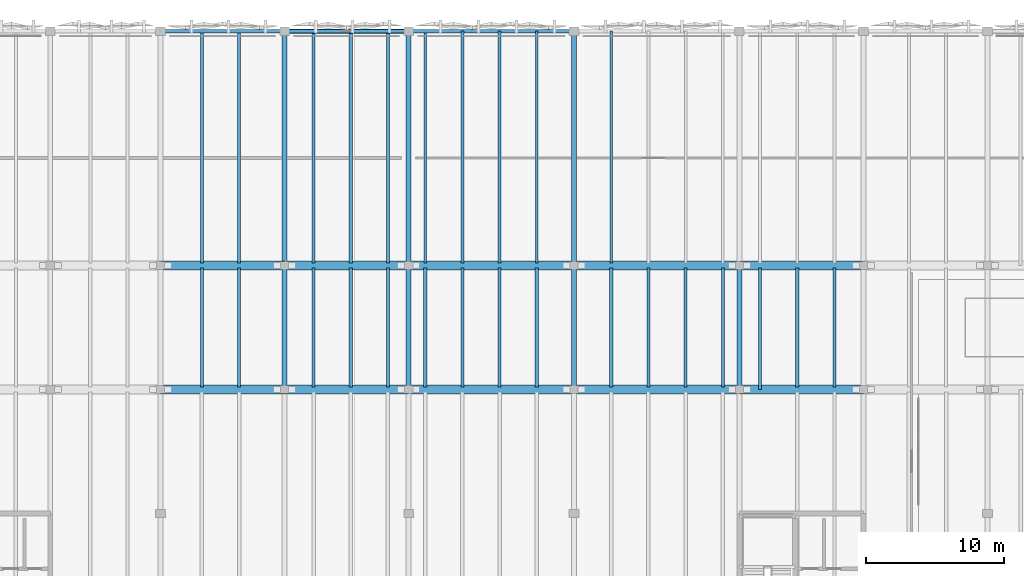
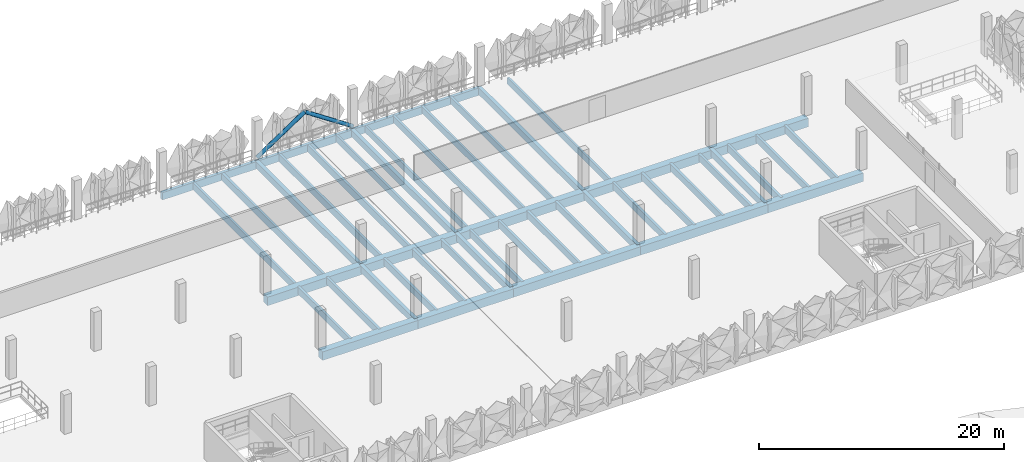
# One storey, part 12 of 52: 46 beams, 2 members.
"""IFC4 building model written with IfcOpenShell, lengths in metres."""

from ifc_helpers import new_model, si_unit, derived_unit, direction, frame, origin, origin_2d, place, context, subcontext, project, spatial, rectangle, hollow_circle, extrude, material, material_profile, profile_set, type_object, element, save


model = new_model("IFC4")

# Units and contexts
model_context = context("Model", 3, precision=1e-05, world=origin(), true_north=direction((0.0, 1.0)))
body_context = subcontext(model_context, "Body", "Model", "MODEL_VIEW")
ifc_project = project(units=[si_unit("LENGTHUNIT", "METRE"), si_unit("AREAUNIT", "SQUARE_METRE"), si_unit("VOLUMEUNIT", "CUBIC_METRE"), si_unit("PLANEANGLEUNIT", "RADIAN"), si_unit("MASSUNIT", "GRAM", prefix="KILO"), si_unit("THERMODYNAMICTEMPERATUREUNIT", "KELVIN"), derived_unit("THERMALTRANSMITTANCEUNIT", [(si_unit("POWERUNIT", "WATT"), 1), (si_unit("AREAUNIT", "SQUARE_METRE"), -1), (si_unit("THERMODYNAMICTEMPERATUREUNIT", "KELVIN"), -1)])], contexts=[model_context])

# Site, building, storey
site_placement = place(None, origin())
site = spatial("IfcSite", under=ifc_project, at=site_placement, CompositionType="ELEMENT")
building_placement = place(site_placement, origin())
building = spatial("IfcBuilding", under=site, at=building_placement, Name="Haiyu Intermodal Mobility Hub", CompositionType="ELEMENT")
storey_placement = place(building_placement, frame((0.0, 0.0, 21.199951171875)))
storey = spatial("IfcBuildingStorey", under=building, at=storey_placement, Name="L05", CompositionType="ELEMENT", Elevation=21.199951171875)

# Beams
ifc_material_1 = material(Name="Concrete C40", Category="concrete")
ifc_material_profile_1 = material_profile(ifc_material_1, rectangle(XDim=0.35009765625, YDim=0.64990234375, at=origin_2d()), Name="RCB350x650")
ifc_profile_set_1 = profile_set([ifc_material_profile_1], Name="Concrete C40")
beam_type_1 = type_object("IfcBeamType", Name="BM-CB04", PredefinedType="BEAM", material=ifc_profile_set_1)
beam_1_placement = place(storey_placement, frame((87.0, 122.0, -0.599853515625), z_axis=(0.0, 1.0, 0.0), x_axis=(-1.0, 0.0, 0.0)))
element("IfcBeam", 1, at=beam_1_placement, inside=storey, type_object=beam_type_1, Name="BM-V4E-L05-022", PredefinedType="BEAM", context=body_context, shape_type="SweptSolid", body=[
    extrude(rectangle(XDim=0.35009765625, YDim=0.64990234375, at=origin_2d()), origin(), (0.0, 0.0, 1.0), 9.0),
])
beam_2_placement = place(storey_placement, frame((87.0, 131.0, -0.599853515625), z_axis=(0.0, 1.0, 0.0), x_axis=(-1.0, 0.0, 0.0)))
element("IfcBeam", 2, at=beam_2_placement, inside=storey, type_object=beam_type_1, Name="BM-V4E-L05-023", PredefinedType="BEAM", context=body_context, shape_type="SweptSolid", body=[
    extrude(rectangle(XDim=0.35009765625, YDim=0.64990234375, at=origin_2d()), origin(), (0.0, 0.0, 1.0), 17.0),
])
beam_3_placement = place(storey_placement, frame((96.0, 122.0, -0.599853515625), z_axis=(0.0, 1.0, 0.0), x_axis=(-1.0, 0.0, 0.0)))
element("IfcBeam", 3, at=beam_3_placement, inside=storey, type_object=beam_type_1, Name="BM-V4E-L05-025", PredefinedType="BEAM", context=body_context, shape_type="SweptSolid", body=[
    extrude(rectangle(XDim=0.35009765625, YDim=0.64990234375, at=origin_2d()), origin(), (0.0, 0.0, 1.0), 9.0),
])
beam_4_placement = place(storey_placement, frame((96.0, 131.0, -0.599853515625), z_axis=(0.0, 1.0, 0.0), x_axis=(-1.0, 0.0, 0.0)))
element("IfcBeam", 4, at=beam_4_placement, inside=storey, type_object=beam_type_1, Name="BM-V4E-L05-026", PredefinedType="BEAM", context=body_context, shape_type="SweptSolid", body=[
    extrude(rectangle(XDim=0.35009765625, YDim=0.64990234375, at=origin_2d()), origin(), (0.0, 0.0, 1.0), 17.0),
])
beam_5_placement = place(storey_placement, frame((108.0, 122.0, -0.599853515625), z_axis=(0.0, 1.0, 0.0), x_axis=(-1.0, 0.0, 0.0)))
element("IfcBeam", 5, at=beam_5_placement, inside=storey, type_object=beam_type_1, Name="BM-V4E-L05-028", PredefinedType="BEAM", context=body_context, shape_type="SweptSolid", body=[
    extrude(rectangle(XDim=0.35009765625, YDim=0.64990234375, at=origin_2d()), origin(), (0.0, 0.0, 1.0), 9.0),
])
beam_6_placement = place(storey_placement, frame((108.0, 131.0, -0.599853515625), z_axis=(0.0, 1.0, 0.0), x_axis=(-1.0, 0.0, 0.0)))
element("IfcBeam", 6, at=beam_6_placement, inside=storey, type_object=beam_type_1, Name="BM-V4E-L05-029", PredefinedType="BEAM", context=body_context, shape_type="SweptSolid", body=[
    extrude(rectangle(XDim=0.35009765625, YDim=0.64990234375, at=origin_2d()), origin(), (0.0, 0.0, 1.0), 17.0),
])
beam_7_placement = place(storey_placement, frame((120.0, 122.0, -0.599853515625), z_axis=(0.0, 1.0, 0.0), x_axis=(-1.0, 0.0, 0.0)))
element("IfcBeam", 7, at=beam_7_placement, inside=storey, type_object=beam_type_1, Name="BM-V4E-L05-031", PredefinedType="BEAM", context=body_context, shape_type="SweptSolid", body=[
    extrude(rectangle(XDim=0.35009765625, YDim=0.64990234375, at=origin_2d()), origin(), (0.0, 0.0, 1.0), 9.0),
])
ifc_material_2 = material(Name="Precast concrete C50", Category="concrete")
ifc_material_profile_2 = material_profile(ifc_material_2, rectangle(XDim=0.219970703125, YDim=0.719970703125, at=origin_2d()), Name="PC220x720")
ifc_profile_set_2 = profile_set([ifc_material_profile_2], Name="Precast concrete C50")
beam_type_2 = type_object("IfcBeamType", Name="BM-DT02", PredefinedType="JOIST", material=ifc_profile_set_2)
for number, where, z_axis, x_axis, name in (
    (8, (81.0, 131.195068359375, -0.635009765625), (0.0, 1.0, 0.0), (-1.0, 0.0, 0.0), "BM-DT-L05-031"),
    (9, (83.699951171875, 131.195068359375, -0.635009765625), (0.0, 1.0, 0.0), (-1.0, 0.0, 0.0), "BM-DT-L05-034"),
    (10, (89.10009765625, 131.195068359375, -0.635009765625), (0.0, 1.0, 0.0), (-1.0, 0.0, 0.0), "BM-DT-L05-037"),
    (11, (91.800048828125, 131.195068359375, -0.635009765625), (0.0, 1.0, 0.0), (-1.0, 0.0, 0.0), "BM-DT-L05-040"),
):
    element("IfcBeam", number, at=place(storey_placement, frame(where, z_axis=z_axis, x_axis=x_axis)), inside=storey, type_object=beam_type_2, Name=name, PredefinedType="JOIST", context=body_context, shape_type="SweptSolid", body=[
        extrude(rectangle(XDim=0.219970703125, YDim=0.719970703125, at=origin_2d()), origin(), (0.0, 0.0, 1.0), 16.804931640625),
    ])
ifc_material_profile_3 = material_profile(ifc_material_2, rectangle(XDim=0.199951171875, YDim=0.659912109375, at=origin_2d()), Name="PC200x660")
ifc_profile_set_3 = profile_set([ifc_material_profile_3], Name="Precast concrete C50")
beam_type_3 = type_object("IfcBeamType", Name="BM-DT03", PredefinedType="JOIST", material=ifc_profile_set_3)
for number, where, z_axis, x_axis, name in (
    (12, (94.5, 131.195068359375, -0.60498046875), (0.0, 1.0, 0.0), (-1.0, 0.0, 0.0), "BM-DT-L05-043"),
    (13, (97.199951171875, 131.195068359375, -0.60498046875), (0.0, 1.0, 0.0), (-1.0, 0.0, 0.0), "BM-DT-L05-046"),
    (14, (99.89990234375, 131.195068359375, -0.60498046875), (0.0, 1.0, 0.0), (-1.0, 0.0, 0.0), "BM-DT-L05-049"),
    (15, (102.60009765625, 131.195068359375, -0.60498046875), (0.0, 1.0, 0.0), (-1.0, 0.0, 0.0), "BM-DT-L05-052"),
    (16, (105.300048828125, 131.195068359375, -0.60498046875), (0.0, 1.0, 0.0), (-1.0, 0.0, 0.0), "BM-DT-L05-055"),
    (17, (110.699951171875, 131.195068359375, -0.60498046875), (0.0, 1.0, 0.0), (-1.0, 0.0, 0.0), "BM-DT-L05-058"),
):
    element("IfcBeam", number, at=place(storey_placement, frame(where, z_axis=z_axis, x_axis=x_axis)), inside=storey, type_object=beam_type_3, Name=name, PredefinedType="JOIST", context=body_context, shape_type="SweptSolid", body=[
        extrude(rectangle(XDim=0.199951171875, YDim=0.659912109375, at=origin_2d()), origin(), (0.0, 0.0, 1.0), 16.804931640625),
    ])
ifc_material_profile_4 = material_profile(ifc_material_2, rectangle(XDim=0.22998046875, YDim=0.68994140625, at=origin_2d()), Name="B230x690")
ifc_profile_set_4 = profile_set([ifc_material_profile_4], Name="Precast concrete C50")
beam_type_4 = type_object("IfcBeamType", Name="BM-DT06", PredefinedType="JOIST", material=ifc_profile_set_4)
for number, where, z_axis, x_axis, name in (
    (18, (81.0, 122.195068359375, -0.619873046875), (0.0, 1.0, 0.0), (-1.0, 0.0, 0.0), "BM-DT-L05-030"),
    (19, (83.699951171875, 122.195068359375, -0.619873046875), (0.0, 1.0, 0.0), (-1.0, 0.0, 0.0), "BM-DT-L05-033"),
    (20, (89.10009765625, 122.195068359375, -0.619873046875), (0.0, 1.0, 0.0), (-1.0, 0.0, 0.0), "BM-DT-L05-036"),
    (21, (91.800048828125, 122.195068359375, -0.619873046875), (0.0, 1.0, 0.0), (-1.0, 0.0, 0.0), "BM-DT-L05-039"),
    (22, (94.5, 122.195068359375, -0.619873046875), (0.0, 1.0, 0.0), (-1.0, 0.0, 0.0), "BM-DT-L05-042"),
    (23, (97.199951171875, 122.195068359375, -0.619873046875), (0.0, 1.0, 0.0), (-1.0, 0.0, 0.0), "BM-DT-L05-045"),
    (24, (99.89990234375, 122.195068359375, -0.619873046875), (0.0, 1.0, 0.0), (-1.0, 0.0, 0.0), "BM-DT-L05-048"),
    (25, (102.60009765625, 122.195068359375, -0.619873046875), (0.0, 1.0, 0.0), (-1.0, 0.0, 0.0), "BM-DT-L05-051"),
    (26, (105.300048828125, 122.195068359375, -0.619873046875), (0.0, 1.0, 0.0), (-1.0, 0.0, 0.0), "BM-DT-L05-054"),
    (27, (110.699951171875, 122.195068359375, -0.619873046875), (0.0, 1.0, 0.0), (-1.0, 0.0, 0.0), "BM-DT-L05-057"),
    (28, (113.39990234375, 122.195068359375, -0.619873046875), (0.0, 1.0, 0.0), (-1.0, 0.0, 0.0), "BM-DT-L05-060"),
    (29, (116.10009765625, 122.195068359375, -0.619873046875), (0.0, 1.0, 0.0), (-1.0, 0.0, 0.0), "BM-DT-L05-063"),
    (30, (118.800048828125, 122.195068359375, -0.619873046875), (0.0, 1.0, 0.0), (-1.0, 0.0, 0.0), "BM-DT-L05-066"),
):
    element("IfcBeam", number, at=place(storey_placement, frame(where, z_axis=z_axis, x_axis=x_axis)), inside=storey, type_object=beam_type_4, Name=name, PredefinedType="JOIST", context=body_context, shape_type="SweptSolid", body=[
        extrude(rectangle(XDim=0.22998046875, YDim=0.68994140625, at=origin_2d()), origin(), (0.0, 0.0, 1.0), 8.60986328125),
    ])
beam_8_placement = place(storey_placement, frame((121.5, 122.0, -0.619873046875), z_axis=(0.0, 1.0, 0.0), x_axis=(-1.0, 0.0, 0.0)))
element("IfcBeam", 31, at=beam_8_placement, inside=storey, type_object=beam_type_4, Name="BM-DT-L05-069", PredefinedType="JOIST", context=body_context, shape_type="SweptSolid", body=[
    extrude(rectangle(XDim=0.22998046875, YDim=0.68994140625, at=origin_2d()), origin(), (0.0, 0.0, 1.0), 8.804931640625),
])
for number, where, z_axis, x_axis, name in (
    (32, (124.199951171875, 122.195068359375, -0.619873046875), (0.0, 1.0, 0.0), (-1.0, 0.0, 0.0), "BM-DT-L05-072"),
    (33, (126.89990234375, 122.195068359375, -0.619873046875), (0.0, 1.0, 0.0), (-1.0, 0.0, 0.0), "BM-DT-L05-075"),
):
    element("IfcBeam", number, at=place(storey_placement, frame(where, z_axis=z_axis, x_axis=x_axis)), inside=storey, type_object=beam_type_4, Name=name, PredefinedType="JOIST", context=body_context, shape_type="SweptSolid", body=[
        extrude(rectangle(XDim=0.22998046875, YDim=0.68994140625, at=origin_2d()), origin(), (0.0, 0.0, 1.0), 8.60986328125),
    ])
ifc_material_profile_5 = material_profile(ifc_material_2, rectangle(XDim=0.64990234375, YDim=0.85009765625, at=origin_2d()), Name="PC650x850")
ifc_profile_set_5 = profile_set([ifc_material_profile_5], Name="Precast concrete C50")
beam_type_5 = type_object("IfcBeamType", Name="BM-IT03", PredefinedType="T_BEAM", material=ifc_profile_set_5)
for number, where, z_axis, x_axis, name in (
    (34, (78.0, 122.0, -0.699951171875), (1.0, 0.0, 0.0), (0.0, 1.0, 0.0), "BM-V4G-L05-018"),
    (35, (87.0, 122.0, -0.699951171875), (1.0, 0.0, 0.0), (0.0, 1.0, 0.0), "BM-V4G-L05-019"),
):
    element("IfcBeam", number, at=place(storey_placement, frame(where, z_axis=z_axis, x_axis=x_axis)), inside=storey, type_object=beam_type_5, Name=name, PredefinedType="T_BEAM", context=body_context, shape_type="SweptSolid", body=[
        extrude(rectangle(XDim=0.64990234375, YDim=0.85009765625, at=origin_2d()), origin(), (0.0, 0.0, 1.0), 9.0),
    ])
for number, where, z_axis, x_axis, name in (
    (36, (96.0, 122.0, -0.699951171875), (1.0, 0.0, 0.0), (0.0, 1.0, 0.0), "BM-V4G-L05-020"),
    (37, (108.0, 122.0, -0.699951171875), (1.0, 0.0, 0.0), (0.0, 1.0, 0.0), "BM-V4G-L05-021"),
):
    element("IfcBeam", number, at=place(storey_placement, frame(where, z_axis=z_axis, x_axis=x_axis)), inside=storey, type_object=beam_type_5, Name=name, PredefinedType="T_BEAM", context=body_context, shape_type="SweptSolid", body=[
        extrude(rectangle(XDim=0.64990234375, YDim=0.85009765625, at=origin_2d()), origin(), (0.0, 0.0, 1.0), 12.0),
    ])
for number, where, z_axis, x_axis, name in (
    (38, (120.0, 122.0, -0.699951171875), (1.0, 0.0, 0.0), (0.0, 1.0, 0.0), "BM-V4G-L05-022"),
    (39, (78.0, 131.0, -0.699951171875), (1.0, 0.0, 0.0), (0.0, 1.0, 0.0), "BM-V4G-L05-032"),
    (40, (87.0, 131.0, -0.699951171875), (1.0, 0.0, 0.0), (0.0, 1.0, 0.0), "BM-V4G-L05-033"),
):
    element("IfcBeam", number, at=place(storey_placement, frame(where, z_axis=z_axis, x_axis=x_axis)), inside=storey, type_object=beam_type_5, Name=name, PredefinedType="T_BEAM", context=body_context, shape_type="SweptSolid", body=[
        extrude(rectangle(XDim=0.64990234375, YDim=0.85009765625, at=origin_2d()), origin(), (0.0, 0.0, 1.0), 9.0),
    ])
for number, where, z_axis, x_axis, name in (
    (41, (96.0, 131.0, -0.699951171875), (1.0, 0.0, 0.0), (0.0, 1.0, 0.0), "BM-V4G-L05-034"),
    (42, (108.0, 131.0, -0.699951171875), (1.0, 0.0, 0.0), (0.0, 1.0, 0.0), "BM-V4G-L05-035"),
):
    element("IfcBeam", number, at=place(storey_placement, frame(where, z_axis=z_axis, x_axis=x_axis)), inside=storey, type_object=beam_type_5, Name=name, PredefinedType="T_BEAM", context=body_context, shape_type="SweptSolid", body=[
        extrude(rectangle(XDim=0.64990234375, YDim=0.85009765625, at=origin_2d()), origin(), (0.0, 0.0, 1.0), 12.0),
    ])
beam_9_placement = place(storey_placement, frame((120.0, 131.0, -0.699951171875), z_axis=(1.0, 0.0, 0.0), x_axis=(0.0, 1.0, 0.0)))
element("IfcBeam", 43, at=beam_9_placement, inside=storey, type_object=beam_type_5, Name="BM-V4G-L05-036", PredefinedType="T_BEAM", context=body_context, shape_type="SweptSolid", body=[
    extrude(rectangle(XDim=0.64990234375, YDim=0.85009765625, at=origin_2d()), origin(), (0.0, 0.0, 1.0), 9.0),
])
ifc_material_3 = material(Name="Precast concrete C40", Category="concrete")
ifc_material_profile_6 = material_profile(ifc_material_3, rectangle(XDim=0.280029296875, YDim=0.739990234375, at=origin_2d()), Name="B280x740")
ifc_profile_set_6 = profile_set([ifc_material_profile_6], Name="Precast concrete C40")
beam_type_6 = type_object("IfcBeamType", Name="BM-SP05", PredefinedType="SPANDREL", material=ifc_profile_set_6)
for number, where, z_axis, x_axis, name in (
    (44, (78.0, 148.0, -0.64501953125), (1.0, 0.0, 0.0), (0.0, 1.0, 0.0), "BM-V4G-L05-048"),
    (45, (87.0, 148.0, -0.64501953125), (1.0, 0.0, 0.0), (0.0, 1.0, 0.0), "BM-V4G-L05-049"),
):
    element("IfcBeam", number, at=place(storey_placement, frame(where, z_axis=z_axis, x_axis=x_axis)), inside=storey, type_object=beam_type_6, Name=name, PredefinedType="SPANDREL", context=body_context, shape_type="SweptSolid", body=[
        extrude(rectangle(XDim=0.280029296875, YDim=0.739990234375, at=origin_2d()), origin(), (0.0, 0.0, 1.0), 9.0),
    ])
beam_10_placement = place(storey_placement, frame((96.0, 148.0, -0.64501953125), z_axis=(1.0, 0.0, 0.0), x_axis=(0.0, 1.0, 0.0)))
element("IfcBeam", 46, at=beam_10_placement, inside=storey, type_object=beam_type_6, Name="BM-V4G-L05-050", PredefinedType="SPANDREL", context=body_context, shape_type="SweptSolid", body=[
    extrude(rectangle(XDim=0.280029296875, YDim=0.739990234375, at=origin_2d()), origin(), (0.0, 0.0, 1.0), 12.0),
])

# Members
ifc_material_4 = material(Name="Steel Q355C", Category="steel")
ifc_material_profile_7 = material_profile(ifc_material_4, hollow_circle(Radius=0.177978515625, WallThickness=0.011962890625, at=origin_2d()), Name="CHS356x12")
ifc_profile_set_7 = profile_set([ifc_material_profile_7], Name="Steel Q355C")
member_type = type_object("IfcMemberType", Name="MEM-BR01", PredefinedType="BRACE", material=ifc_profile_set_7)
for number, where, z_axis, x_axis, name in (
    (47, (87.0, 148.0, 0.0), (0.832050294338, 0.0, 0.554700196225), (0.0, 1.0, 0.0), "Seismic Chevron Brace B2-L05-A"),
    (48, (96.0, 148.0, 0.0), (-0.832050294338, 0.0, 0.554700196225), (0.0, -1.0, 0.0), "Seismic Chevron Brace B2-L05-B"),
):
    element("IfcMember", number, at=place(storey_placement, frame(where, z_axis=z_axis, x_axis=x_axis)), inside=storey, type_object=member_type, Name=name, PredefinedType="BRACE", context=body_context, shape_type="SweptSolid", body=[
        extrude(hollow_circle(Radius=0.177978515625, WallThickness=0.011962890625, at=origin_2d()), origin(), (0.0, 0.0, 1.0), 5.408447265625),
    ])

save(model, "model.ifc")
